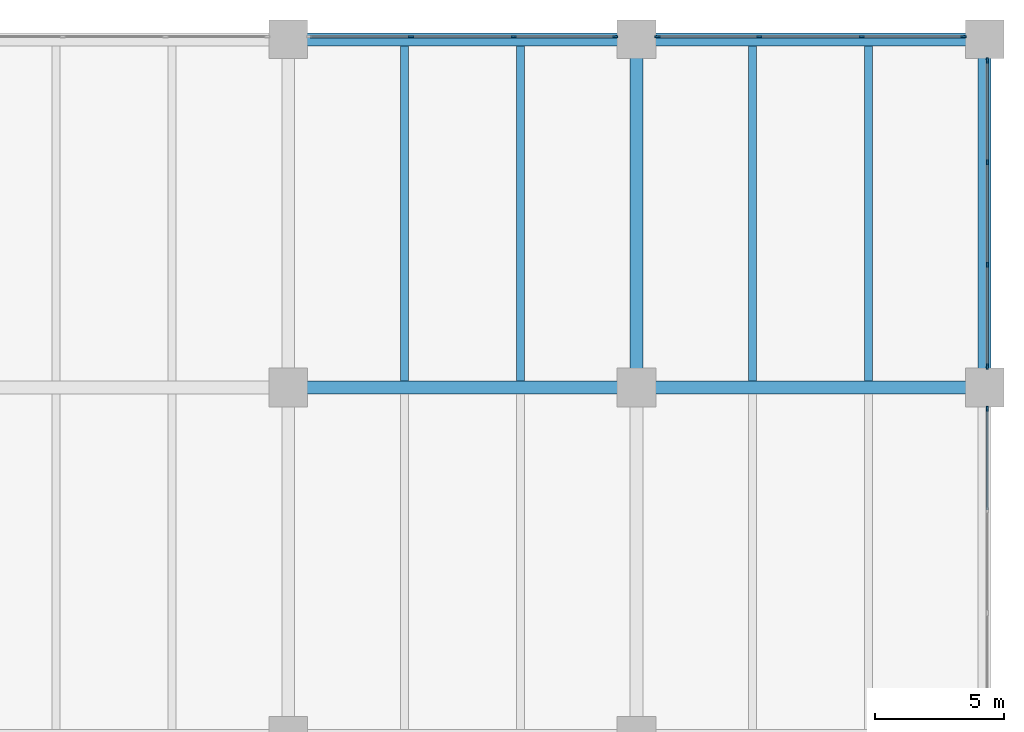
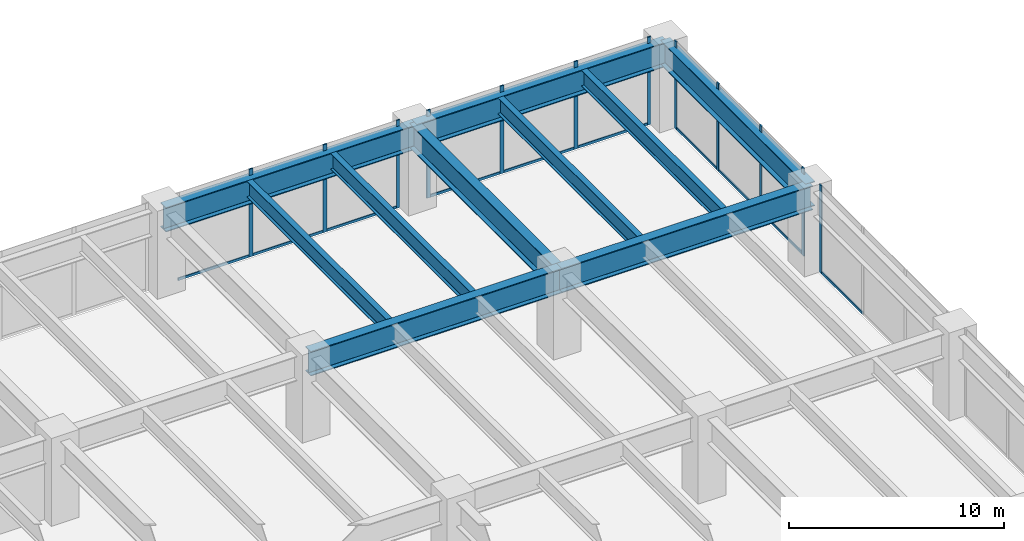
# One storey, part 17 of 32: 22 members, 10 beams, 4 elements without a shape of their own.
"""IFC4 building model written with IfcOpenShell, lengths in metres."""

from ifc_helpers import new_model, si_unit, direction, frame, origin, origin_2d, place, context, subcontext, project, spatial, rectangle, i_section, extrude, material, material_profile, profile_set, type_object, element, aggregate, save


model = new_model("IFC4")

# Units and contexts
model_context = context("Model", 3, precision=1e-05, world=origin(), true_north=direction((0.0, 1.0)))
body_context = subcontext(model_context, "Body", "Model", "MODEL_VIEW")
ifc_project = project(units=[si_unit("LENGTHUNIT", "METRE"), si_unit("AREAUNIT", "SQUARE_METRE"), si_unit("VOLUMEUNIT", "CUBIC_METRE"), si_unit("PLANEANGLEUNIT", "RADIAN"), si_unit("MASSUNIT", "GRAM", prefix="KILO")], contexts=[model_context])

# Site, building, storey
site_placement = place(None, origin())
site = spatial("IfcSite", under=ifc_project, at=site_placement, CompositionType="ELEMENT")
building_placement = place(site_placement, origin())
building = spatial("IfcBuilding", under=site, at=building_placement, Name="Upepo Twin Towers", CompositionType="ELEMENT")
storey_placement = place(building_placement, frame((0.0, 0.0, 5.5)))
storey = spatial("IfcBuildingStorey", under=building, at=storey_placement, Name="L01", CompositionType="ELEMENT", Elevation=5.5)

# Beams
ifc_material_1 = material(Name="Steel S355", Category="steel")
ifc_material_profile_1 = material_profile(ifc_material_1, i_section(OverallWidth=0.5, OverallDepth=1.39990234375, WebThickness=0.02490234375, FlangeThickness=0.050048828125, FilletRadius=0.008056640625, at=origin_2d()), Name="PG 1400x500x25x50")
ifc_profile_set_1 = profile_set([ifc_material_profile_1], Name="Steel S355")
beam_type_1 = type_object("IfcBeamType", Name="Beam PG 1400x500x25x50", PredefinedType="BEAM", material=ifc_profile_set_1)
for number, where, z_axis, x_axis, name in (
    (1, (67.5, 27.0, 3.949951171875), (1.0, 0.0, 0.0), (0.0, 1.0, 0.0), "Podium girder F/8-9"),
    (2, (81.0, 27.0, 3.949951171875), (1.0, 0.0, 0.0), (0.0, 1.0, 0.0), "Podium girder F/9-10"),
    (3, (67.5, 40.5, 3.949951171875), (1.0, 0.0, 0.0), (0.0, 1.0, 0.0), "Podium girder G/8-9"),
    (4, (81.0, 40.5, 3.949951171875), (1.0, 0.0, 0.0), (0.0, 1.0, 0.0), "Podium girder G/9-10"),
    (5, (81.0, 27.0, 3.949951171875), (0.0, 1.0, 0.0), (-1.0, 0.0, 0.0), "Podium girder 9/F-G"),
    (6, (94.5, 27.0, 3.949951171875), (0.0, 1.0, 0.0), (-1.0, 0.0, 0.0), "Podium girder 10/F-G"),
):
    element("IfcBeam", number, at=place(storey_placement, frame(where, z_axis=z_axis, x_axis=x_axis)), inside=storey, type_object=beam_type_1, Name=name, PredefinedType="BEAM", context=body_context, shape_type="SweptSolid", body=[
        extrude(i_section(OverallWidth=0.5, OverallDepth=1.39990234375, WebThickness=0.02490234375, FlangeThickness=0.050048828125, FilletRadius=0.008056640625, at=origin_2d()), origin(), (0.0, 0.0, 1.0), 13.5),
    ])

# Curtain wall, member
ifc_material_2 = material(Name="Aluminium and clear glass", Category="aluminium")
curtain_wall_type = type_object("IfcCurtainWallType", Name="Podium curtain wall PW1", PredefinedType="NOTDEFINED", material=ifc_material_2)
curtain_wall_1_placement = place(storey_placement, origin())
curtain_wall_1 = element("IfcCurtainWall", 7, at=curtain_wall_1_placement, inside=storey, type_object=curtain_wall_type, Name="Podium L01 curtain wall E5", PredefinedType="NOTDEFINED")
ifc_material_3 = material(Name="Aluminium mullion", Category="aluminium")
ifc_material_profile_2 = material_profile(ifc_material_3, rectangle(XDim=0.06494140625, YDim=0.199951171875, at=origin_2d()), Name="MULLION 65x200 PODIUM")
ifc_profile_set_2 = profile_set([ifc_material_profile_2], Name="Aluminium mullion")
member_type_1 = type_object("IfcMemberType", Name="Mullion 65x200 PW1", PredefinedType="MULLION", material=ifc_profile_set_2)
member_1_placement = place(storey_placement, frame((94.60009765625, 26.1826171875, 0.0), z_axis=(0.0, 0.0, 1.0), x_axis=(-1.0, 0.0, 0.0)))
member_1 = element("IfcMember", 8, at=member_1_placement, type_object=member_type_1, Name="Podium L01 curtain wall E5 mullion 4", PredefinedType="MULLION", context=body_context, shape_type="SweptSolid", body=[
    extrude(rectangle(XDim=0.06494140625, YDim=0.199951171875, at=origin_2d()), origin(), (0.0, 0.0, 1.0), 5.0),
])

# Curtain wall, members
curtain_wall_2_placement = place(storey_placement, origin())
curtain_wall_2 = element("IfcCurtainWall", 9, at=curtain_wall_2_placement, inside=storey, type_object=curtain_wall_type, Name="Podium L01 curtain wall E6", PredefinedType="NOTDEFINED")
member_2_placement = place(storey_placement, frame((94.60009765625, 27.8173828125, 0.0), z_axis=(0.0, 0.0, 1.0), x_axis=(-1.0, 0.0, 0.0)))
member_2 = element("IfcMember", 10, at=member_2_placement, type_object=member_type_1, Name="Podium L01 curtain wall E6 mullion 1", PredefinedType="MULLION", context=body_context, shape_type="SweptSolid", body=[
    extrude(rectangle(XDim=0.06494140625, YDim=0.199951171875, at=origin_2d()), origin(), (0.0, 0.0, 1.0), 5.0),
])
member_3_placement = place(storey_placement, frame((94.60009765625, 31.76171875, 0.0), z_axis=(0.0, 0.0, 1.0), x_axis=(-1.0, 0.0, 0.0)))
member_3 = element("IfcMember", 11, at=member_3_placement, type_object=member_type_1, Name="Podium L01 curtain wall E6 mullion 2", PredefinedType="MULLION", context=body_context, shape_type="SweptSolid", body=[
    extrude(rectangle(XDim=0.06494140625, YDim=0.199951171875, at=origin_2d()), origin(), (0.0, 0.0, 1.0), 5.0),
])
member_4_placement = place(storey_placement, frame((94.60009765625, 35.73828125, 0.0), z_axis=(0.0, 0.0, 1.0), x_axis=(-1.0, 0.0, 0.0)))
member_4 = element("IfcMember", 12, at=member_4_placement, type_object=member_type_1, Name="Podium L01 curtain wall E6 mullion 3", PredefinedType="MULLION", context=body_context, shape_type="SweptSolid", body=[
    extrude(rectangle(XDim=0.06494140625, YDim=0.199951171875, at=origin_2d()), origin(), (0.0, 0.0, 1.0), 5.0),
])
member_5_placement = place(storey_placement, frame((94.60009765625, 39.6826171875, 0.0), z_axis=(0.0, 0.0, 1.0), x_axis=(-1.0, 0.0, 0.0)))
member_5 = element("IfcMember", 13, at=member_5_placement, type_object=member_type_1, Name="Podium L01 curtain wall E6 mullion 4", PredefinedType="MULLION", context=body_context, shape_type="SweptSolid", body=[
    extrude(rectangle(XDim=0.06494140625, YDim=0.199951171875, at=origin_2d()), origin(), (0.0, 0.0, 1.0), 5.0),
])

curtain_wall_3_placement = place(storey_placement, origin())
curtain_wall_3 = element("IfcCurtainWall", 14, at=curtain_wall_3_placement, inside=storey, type_object=curtain_wall_type, Name="Podium L01 curtain wall N1", PredefinedType="NOTDEFINED")
member_6_placement = place(storey_placement, frame((93.6826171875, 40.60009765625, 0.0), z_axis=(0.0, 0.0, 1.0), x_axis=(0.0, -1.0, 0.0)))
member_6 = element("IfcMember", 15, at=member_6_placement, type_object=member_type_1, Name="Podium L01 curtain wall N1 mullion 1", PredefinedType="MULLION", context=body_context, shape_type="SweptSolid", body=[
    extrude(rectangle(XDim=0.06494140625, YDim=0.199951171875, at=origin_2d()), origin(), (0.0, 0.0, 1.0), 5.0),
])
member_7_placement = place(storey_placement, frame((89.73828125, 40.60009765625, 0.0), z_axis=(0.0, 0.0, 1.0), x_axis=(0.0, -1.0, 0.0)))
member_7 = element("IfcMember", 16, at=member_7_placement, type_object=member_type_1, Name="Podium L01 curtain wall N1 mullion 2", PredefinedType="MULLION", context=body_context, shape_type="SweptSolid", body=[
    extrude(rectangle(XDim=0.06494140625, YDim=0.199951171875, at=origin_2d()), origin(), (0.0, 0.0, 1.0), 5.0),
])
member_8_placement = place(storey_placement, frame((85.76171875, 40.60009765625, 0.0), z_axis=(0.0, 0.0, 1.0), x_axis=(0.0, -1.0, 0.0)))
member_8 = element("IfcMember", 17, at=member_8_placement, type_object=member_type_1, Name="Podium L01 curtain wall N1 mullion 3", PredefinedType="MULLION", context=body_context, shape_type="SweptSolid", body=[
    extrude(rectangle(XDim=0.06494140625, YDim=0.199951171875, at=origin_2d()), origin(), (0.0, 0.0, 1.0), 5.0),
])
member_9_placement = place(storey_placement, frame((81.8173828125, 40.60009765625, 0.0), z_axis=(0.0, 0.0, 1.0), x_axis=(0.0, -1.0, 0.0)))
member_9 = element("IfcMember", 18, at=member_9_placement, type_object=member_type_1, Name="Podium L01 curtain wall N1 mullion 4", PredefinedType="MULLION", context=body_context, shape_type="SweptSolid", body=[
    extrude(rectangle(XDim=0.06494140625, YDim=0.199951171875, at=origin_2d()), origin(), (0.0, 0.0, 1.0), 5.0),
])

curtain_wall_4_placement = place(storey_placement, origin())
curtain_wall_4 = element("IfcCurtainWall", 19, at=curtain_wall_4_placement, inside=storey, type_object=curtain_wall_type, Name="Podium L01 curtain wall N2", PredefinedType="NOTDEFINED")
member_10_placement = place(storey_placement, frame((80.1826171875, 40.60009765625, 0.0), z_axis=(0.0, 0.0, 1.0), x_axis=(0.0, -1.0, 0.0)))
member_10 = element("IfcMember", 20, at=member_10_placement, type_object=member_type_1, Name="Podium L01 curtain wall N2 mullion 1", PredefinedType="MULLION", context=body_context, shape_type="SweptSolid", body=[
    extrude(rectangle(XDim=0.06494140625, YDim=0.199951171875, at=origin_2d()), origin(), (0.0, 0.0, 1.0), 5.0),
])
member_11_placement = place(storey_placement, frame((76.23828125, 40.60009765625, 0.0), z_axis=(0.0, 0.0, 1.0), x_axis=(0.0, -1.0, 0.0)))
member_11 = element("IfcMember", 21, at=member_11_placement, type_object=member_type_1, Name="Podium L01 curtain wall N2 mullion 2", PredefinedType="MULLION", context=body_context, shape_type="SweptSolid", body=[
    extrude(rectangle(XDim=0.06494140625, YDim=0.199951171875, at=origin_2d()), origin(), (0.0, 0.0, 1.0), 5.0),
])
member_12_placement = place(storey_placement, frame((72.26171875, 40.60009765625, 0.0), z_axis=(0.0, 0.0, 1.0), x_axis=(0.0, -1.0, 0.0)))
member_12 = element("IfcMember", 22, at=member_12_placement, type_object=member_type_1, Name="Podium L01 curtain wall N2 mullion 3", PredefinedType="MULLION", context=body_context, shape_type="SweptSolid", body=[
    extrude(rectangle(XDim=0.06494140625, YDim=0.199951171875, at=origin_2d()), origin(), (0.0, 0.0, 1.0), 5.0),
])

# Beams
ifc_material_4 = material(Name="Steel S355", Category="steel")
ifc_material_profile_3 = material_profile(ifc_material_4, i_section(OverallWidth=0.305419921875, OverallDepth=0.91845703125, WebThickness=0.017333984375, FlangeThickness=0.02783203125, FilletRadius=0.01904296875, at=origin_2d()), Name="UB 914x305x253")
ifc_profile_set_3 = profile_set([ifc_material_profile_3], Name="Steel S355")
beam_type_2 = type_object("IfcBeamType", Name="Secondary beam UB 914x305x253", PredefinedType="JOIST", material=ifc_profile_set_3)
for number, where, z_axis, x_axis, name in (
    (23, (72.0, 27.25, 4.19091796875), (0.0, 1.0, 0.0), (-1.0, 0.0, 0.0), "Podium secondary beam F8.1"),
    (24, (76.5, 27.25, 4.19091796875), (0.0, 1.0, 0.0), (-1.0, 0.0, 0.0), "Podium secondary beam F8.2"),
    (25, (85.5, 27.25, 4.19091796875), (0.0, 1.0, 0.0), (-1.0, 0.0, 0.0), "Podium secondary beam F9.1"),
    (26, (90.0, 27.25, 4.19091796875), (0.0, 1.0, 0.0), (-1.0, 0.0, 0.0), "Podium secondary beam F9.2"),
):
    element("IfcBeam", number, at=place(storey_placement, frame(where, z_axis=z_axis, x_axis=x_axis)), inside=storey, type_object=beam_type_2, Name=name, PredefinedType="JOIST", context=body_context, shape_type="SweptSolid", body=[
        extrude(i_section(OverallWidth=0.305419921875, OverallDepth=0.91845703125, WebThickness=0.017333984375, FlangeThickness=0.02783203125, FilletRadius=0.01904296875, at=origin_2d()), origin(), (0.0, 0.0, 1.0), 13.0),
    ])

# Member
ifc_material_5 = material(Name="Aluminium transom", Category="aluminium")
ifc_material_profile_4 = material_profile(ifc_material_5, rectangle(XDim=0.06494140625, YDim=0.14990234375, at=origin_2d()), Name="TRANSOM 65x150 PODIUM")
ifc_profile_set_4 = profile_set([ifc_material_profile_4], Name="Aluminium transom")
member_type_2 = type_object("IfcMemberType", Name="Transom 65x150 PW1", PredefinedType="USERDEFINED", material=ifc_profile_set_4)
member_13_placement = place(storey_placement, frame((94.60009765625, 22.270751953125, 0.074951171875), z_axis=(0.0, 1.0, 0.0), x_axis=(-1.0, 0.0, 0.0)))
member_13 = element("IfcMember", 27, at=member_13_placement, type_object=member_type_2, Name="Podium L01 curtain wall E5 transom 3", ObjectType="TRANSOM", PredefinedType="USERDEFINED", context=body_context, shape_type="SweptSolid", body=[
    extrude(rectangle(XDim=0.06494140625, YDim=0.14990234375, at=origin_2d()), origin(), (0.0, 0.0, 1.0), 3.879150390625),
])

aggregate(curtain_wall_1, [member_1, member_13])

member_14_placement = place(storey_placement, frame((94.60009765625, 27.85009765625, 0.074951171875), z_axis=(0.0, 1.0, 0.0), x_axis=(-1.0, 0.0, 0.0)))
member_14 = element("IfcMember", 28, at=member_14_placement, type_object=member_type_2, Name="Podium L01 curtain wall E6 transom 1", ObjectType="TRANSOM", PredefinedType="USERDEFINED", context=body_context, shape_type="SweptSolid", body=[
    extrude(rectangle(XDim=0.06494140625, YDim=0.14990234375, at=origin_2d()), origin(), (0.0, 0.0, 1.0), 3.879150390625),
])

member_15_placement = place(storey_placement, frame((94.60009765625, 31.794189453125, 0.074951171875), z_axis=(0.0, 1.0, 0.0), x_axis=(-1.0, 0.0, 0.0)))
member_15 = element("IfcMember", 29, at=member_15_placement, type_object=member_type_2, Name="Podium L01 curtain wall E6 transom 2", ObjectType="TRANSOM", PredefinedType="USERDEFINED", context=body_context, shape_type="SweptSolid", body=[
    extrude(rectangle(XDim=0.06494140625, YDim=0.14990234375, at=origin_2d()), origin(), (0.0, 0.0, 1.0), 3.91162109375),
])

member_16_placement = place(storey_placement, frame((94.60009765625, 35.770751953125, 0.074951171875), z_axis=(0.0, 1.0, 0.0), x_axis=(-1.0, 0.0, 0.0)))
member_16 = element("IfcMember", 30, at=member_16_placement, type_object=member_type_2, Name="Podium L01 curtain wall E6 transom 3", ObjectType="TRANSOM", PredefinedType="USERDEFINED", context=body_context, shape_type="SweptSolid", body=[
    extrude(rectangle(XDim=0.06494140625, YDim=0.14990234375, at=origin_2d()), origin(), (0.0, 0.0, 1.0), 3.879150390625),
])

aggregate(curtain_wall_2, [member_2, member_3, member_4, member_5, member_14, member_15, member_16])

member_17_placement = place(storey_placement, frame((93.64990234375, 40.60009765625, 0.074951171875), z_axis=(-1.0, 0.0, 0.0), x_axis=(0.0, -1.0, 0.0)))
member_17 = element("IfcMember", 31, at=member_17_placement, type_object=member_type_2, Name="Podium L01 curtain wall N1 transom 1", ObjectType="TRANSOM", PredefinedType="USERDEFINED", context=body_context, shape_type="SweptSolid", body=[
    extrude(rectangle(XDim=0.06494140625, YDim=0.14990234375, at=origin_2d()), origin(), (0.0, 0.0, 1.0), 3.879150390625),
])

member_18_placement = place(storey_placement, frame((89.705810546875, 40.60009765625, 0.074951171875), z_axis=(-1.0, 0.0, 0.0), x_axis=(0.0, -1.0, 0.0)))
member_18 = element("IfcMember", 32, at=member_18_placement, type_object=member_type_2, Name="Podium L01 curtain wall N1 transom 2", ObjectType="TRANSOM", PredefinedType="USERDEFINED", context=body_context, shape_type="SweptSolid", body=[
    extrude(rectangle(XDim=0.06494140625, YDim=0.14990234375, at=origin_2d()), origin(), (0.0, 0.0, 1.0), 3.91162109375),
])

member_19_placement = place(storey_placement, frame((85.729248046875, 40.60009765625, 0.074951171875), z_axis=(-1.0, 0.0, 0.0), x_axis=(0.0, -1.0, 0.0)))
member_19 = element("IfcMember", 33, at=member_19_placement, type_object=member_type_2, Name="Podium L01 curtain wall N1 transom 3", ObjectType="TRANSOM", PredefinedType="USERDEFINED", context=body_context, shape_type="SweptSolid", body=[
    extrude(rectangle(XDim=0.06494140625, YDim=0.14990234375, at=origin_2d()), origin(), (0.0, 0.0, 1.0), 3.879150390625),
])

aggregate(curtain_wall_3, [member_6, member_7, member_8, member_9, member_17, member_18, member_19])

member_20_placement = place(storey_placement, frame((80.14990234375, 40.60009765625, 0.074951171875), z_axis=(-1.0, 0.0, 0.0), x_axis=(0.0, -1.0, 0.0)))
member_20 = element("IfcMember", 34, at=member_20_placement, type_object=member_type_2, Name="Podium L01 curtain wall N2 transom 1", ObjectType="TRANSOM", PredefinedType="USERDEFINED", context=body_context, shape_type="SweptSolid", body=[
    extrude(rectangle(XDim=0.06494140625, YDim=0.14990234375, at=origin_2d()), origin(), (0.0, 0.0, 1.0), 3.879150390625),
])

member_21_placement = place(storey_placement, frame((76.205810546875, 40.60009765625, 0.074951171875), z_axis=(-1.0, 0.0, 0.0), x_axis=(0.0, -1.0, 0.0)))
member_21 = element("IfcMember", 35, at=member_21_placement, type_object=member_type_2, Name="Podium L01 curtain wall N2 transom 2", ObjectType="TRANSOM", PredefinedType="USERDEFINED", context=body_context, shape_type="SweptSolid", body=[
    extrude(rectangle(XDim=0.06494140625, YDim=0.14990234375, at=origin_2d()), origin(), (0.0, 0.0, 1.0), 3.91162109375),
])

member_22_placement = place(storey_placement, frame((72.229248046875, 40.60009765625, 0.074951171875), z_axis=(-1.0, 0.0, 0.0), x_axis=(0.0, -1.0, 0.0)))
member_22 = element("IfcMember", 36, at=member_22_placement, type_object=member_type_2, Name="Podium L01 curtain wall N2 transom 3", ObjectType="TRANSOM", PredefinedType="USERDEFINED", context=body_context, shape_type="SweptSolid", body=[
    extrude(rectangle(XDim=0.06494140625, YDim=0.14990234375, at=origin_2d()), origin(), (0.0, 0.0, 1.0), 3.879150390625),
])

aggregate(curtain_wall_4, [member_10, member_11, member_12, member_20, member_21, member_22])

save(model, "model.ifc")
